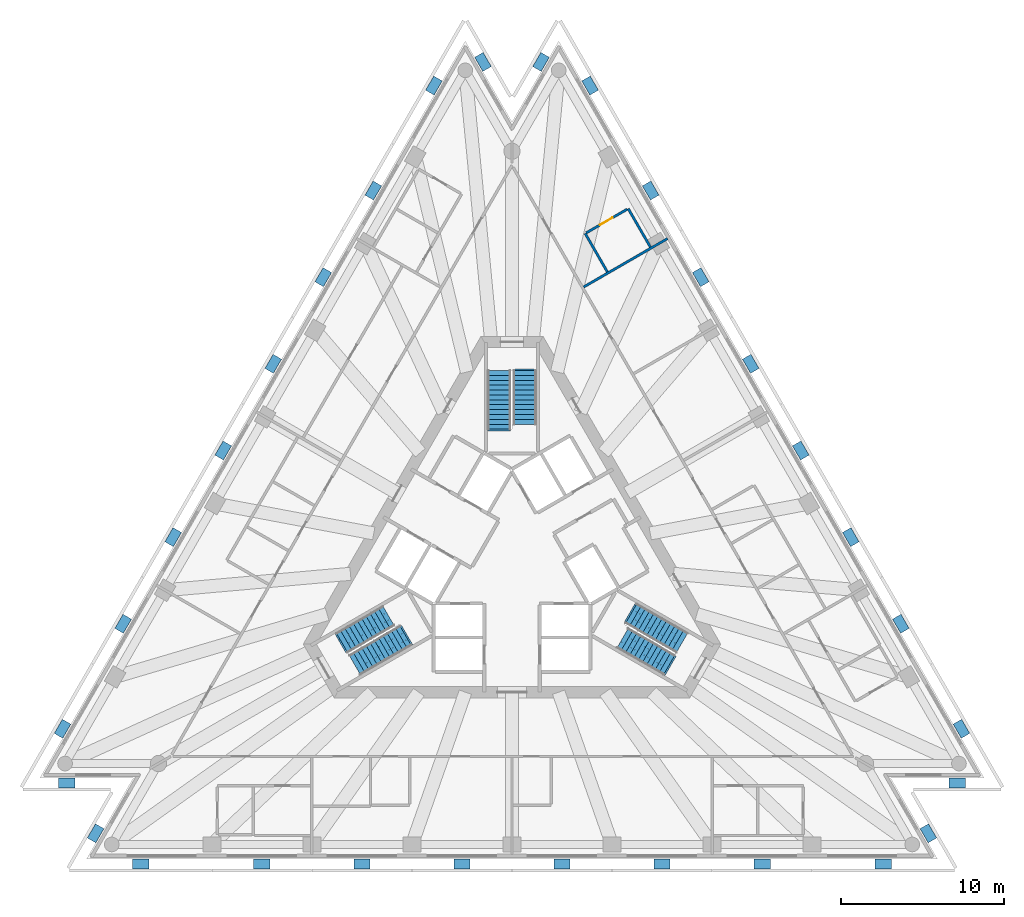
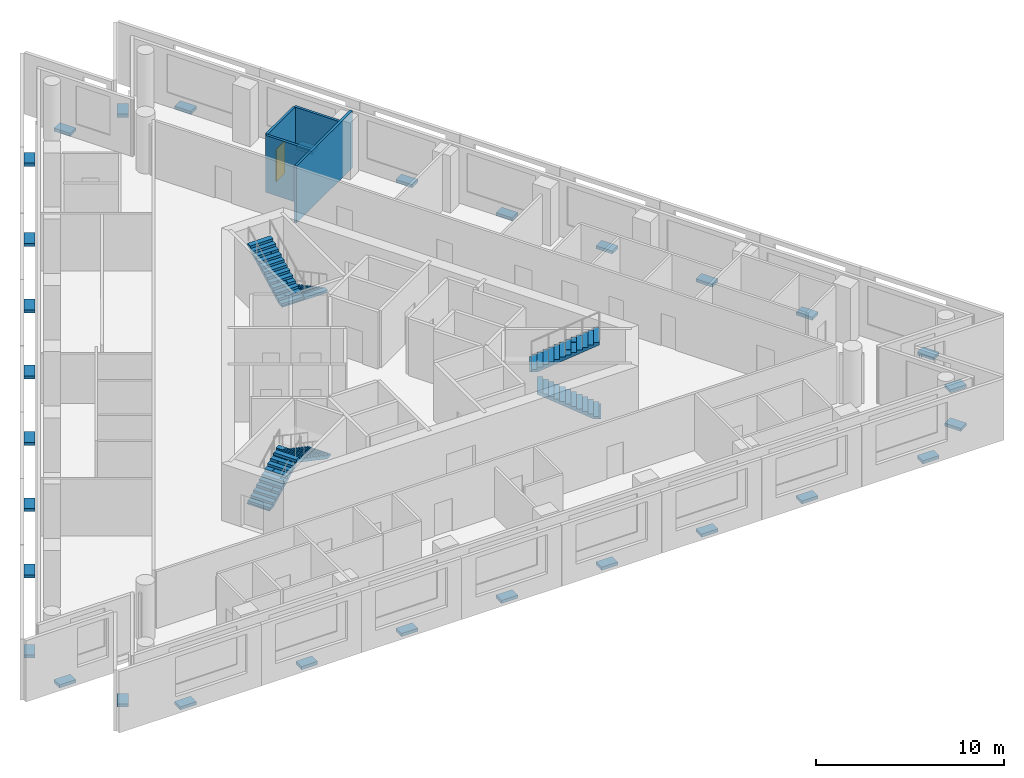
# One storey, part 7 of 9: 30 discrete accessories, 6 stair flights, 4 walls, 1 door, 1 opening, 3 elements without a shape of their own.
"""IFC4 building model written with IfcOpenShell, lengths in metres."""

from ifc_helpers import new_model, si_unit, direction, frame, frame_2d, origin, origin_2d, place, context, subcontext, project, spatial, polyline, rectangle, outline, extrude, material, layer, layer_set, type_object, element, fill, aggregate, save


model = new_model("IFC4")

# Units and contexts
model_context = context("Model", 3, precision=1e-05, world=origin(), true_north=direction((0.0, 1.0)))
body_context = subcontext(model_context, "Body", "Model", "MODEL_VIEW")
ifc_project = project(units=[si_unit("LENGTHUNIT", "METRE"), si_unit("AREAUNIT", "SQUARE_METRE"), si_unit("VOLUMEUNIT", "CUBIC_METRE"), si_unit("PLANEANGLEUNIT", "RADIAN"), si_unit("MASSUNIT", "GRAM", prefix="KILO")], contexts=[model_context])

# Site, building, storey
site_placement = place(None, origin())
site = spatial("IfcSite", under=ifc_project, at=site_placement, CompositionType="ELEMENT")
building_placement = place(site_placement, origin())
building = spatial("IfcBuilding", under=site, at=building_placement, Name="Triada Interchange Tower", CompositionType="ELEMENT")
storey_placement = place(building_placement, frame((0.0, 0.0, 203.300048828125)))
storey = spatial("IfcBuildingStorey", under=building, at=storey_placement, Name="L47", CompositionType="ELEMENT", Elevation=203.300048828125)

# Walls
ifc_material_1 = material(Name="Gypsum board partition")
ifc_layer_1 = layer(ifc_material_1, 0.14990234375)
ifc_layer_set_1 = layer_set([ifc_layer_1], Name="PARTITION 150 EI 180")
wall_type_1 = type_object("IfcWallType", Name="PARTITION 150 EI 180", PredefinedType="PARTITIONING", material=ifc_layer_set_1)
wall_1_placement = place(storey_placement, frame((4.39990234375, 16.72998046875, 0.0), z_axis=(0.0, 0.0, 1.0), x_axis=(0.866064581528, 0.499932136017, 0.0)))
element("IfcWall", 1, at=wall_1_placement, inside=storey, type_object=wall_type_1, Name="Wall L47 23", PredefinedType="PARTITIONING", context=body_context, shape_type="SweptSolid", body=[
    extrude(rectangle(XDim=5.946533203125, YDim=0.14990234375, at=frame_2d((2.97314453125, 0.0))), origin(), (0.0, 0.0, 1.0), 3.699951171875),
])
ifc_layer_2 = layer(ifc_material_1, 0.14990234375)
ifc_layer_set_2 = layer_set([ifc_layer_2], Name="PARTITION 150 EI 90")
wall_type_2 = type_object("IfcWallType", Name="PARTITION 150 EI 90", PredefinedType="PARTITIONING", material=ifc_layer_set_2)
for number, where, z_axis, x_axis, name in (
    (2, (7.135986328125, 21.5419921875, 0.0), (0.0, 0.0, 1.0), (0.499849133735, -0.866112488944, 0.0), "Wall L47 46"),
    (3, (4.493896484375, 20.01708984375, 0.0), (0.0, 0.0, 1.0), (0.499849133735, -0.866112488944, 0.0), "Wall L47 48"),
):
    element("IfcWall", number, at=place(storey_placement, frame(where, z_axis=z_axis, x_axis=x_axis)), inside=storey, type_object=wall_type_2, Name=name, PredefinedType="PARTITIONING", context=body_context, shape_type="SweptSolid", body=[
        extrude(rectangle(XDim=2.724853515625, YDim=0.14990234375, at=frame_2d((1.3623046875, 0.0))), origin(), (0.0, 0.0, 1.0), 3.699951171875),
    ])

# Wall, opening, door
wall_2_placement = place(storey_placement, frame((4.55908203125, 20.053955078125, 0.0), z_axis=(0.0, 0.0, 1.0), x_axis=(0.865929066901, 0.500166823267, 0.0)))
wall_2 = element("IfcWall", 4, at=wall_2_placement, inside=storey, type_object=wall_type_2, Name="Wall L47 52", PredefinedType="PARTITIONING", context=body_context, shape_type="SweptSolid", body=[
    extrude(rectangle(XDim=2.90087890625, YDim=0.14990234375, at=frame_2d((1.450439453125, 0.0))), origin(), (0.0, 0.0, 1.0), 3.699951171875),
])
opening_placement = place(wall_2_placement, frame((0.97509765625, 0.0, 0.0)))
opening = element("IfcOpeningElement", 5, at=opening_placement, cuts=wall_2, Name="Opening D47-32", PredefinedType="OPENING", context=body_context, shape_type="SweptSolid", body=[
    extrude(rectangle(XDim=0.89990234375, YDim=2.10009765625, at=frame_2d((0.449951171875, 1.050048828125))), frame((0.0, 0.0849609375, 0.0), z_axis=(0.0, -1.0, 0.0), x_axis=(1.0, 0.0, 0.0)), (0.0, 0.0, 1.0), 0.169921875),
])
ifc_material_2 = material(Name="Steel S235 door leaf", Category="steel")
door_type = type_object("IfcDoorType", Name="ROOM DOOR 900 EI2 45-C5S200", OperationType="NOTDEFINED", PredefinedType="DOOR", material=ifc_material_2)
door_placement = place(opening_placement, origin())
door = element("IfcDoor", 6, at=door_placement, inside=storey, type_object=door_type, Name="Door D47-32 L47", OperationType="SINGLE_SWING_LEFT", OverallHeight=2.10009765625, OverallWidth=0.89990234375, PredefinedType="DOOR", context=body_context, shape_type="SweptSolid", body=[
    extrude(rectangle(XDim=0.89990234375, YDim=2.10009765625, at=frame_2d((0.449951171875, 1.050048828125))), frame((0.0, 0.02490234375, 0.0), z_axis=(0.0, -1.0, 0.0), x_axis=(1.0, 0.0, 0.0)), (0.0, 0.0, 1.0), 0.050048828125),
])
fill(opening, door)

# Stair, stair flights
ifc_material_3 = material(Name="Concrete C35/45", Category="concrete")
stair_type = type_object("IfcStairType", Name="HALF TURN STAIR 1400", PredefinedType="HALF_TURN_STAIR", material=ifc_material_3)
stair_1_placement = place(storey_placement, origin())
stair_1 = element("IfcStair", 7, at=stair_1_placement, inside=storey, type_object=stair_type, Name="Exit stair S47-1", PredefinedType="HALF_TURN_STAIR")
stair_flight_type = type_object("IfcStairFlightType", Name="STRAIGHT STAIR FLIGHT 1400", PredefinedType="STRAIGHT", material=ifc_material_3)
stair_flight_1_placement = place(storey_placement, frame((0.800048828125, 11.60009765625, 0.0), z_axis=(0.0, 0.0, 1.0), x_axis=(0.0, -1.0, 0.0)))
stair_flight_1 = element("IfcStairFlight", 8, at=stair_flight_1_placement, type_object=stair_flight_type, Name="S47-1 flight 1", NumberOfRisers=12, NumberOfTreads=11, PredefinedType="STRAIGHT", RiserHeight=0.16, TreadLength=0.3, context=body_context, shape_type="SweptSolid", body=[
    extrude(outline(polyline([(-0.10009765625, 0.0), (-0.10009765625, 0.02001953125), (0.0, 0.02001953125), (0.0, 0.159912109375), (0.300048828125, 0.159912109375), (0.300048828125, 0.320068359375), (0.60009765625, 0.320068359375), (0.60009765625, 0.47998046875), (0.89990234375, 0.47998046875), (0.89990234375, 0.639892578125), (1.199951171875, 0.639892578125), (1.199951171875, 0.800048828125), (1.5, 0.800048828125), (1.5, 0.9599609375), (1.800048828125, 0.9599609375), (1.800048828125, 1.1201171875), (2.10009765625, 1.1201171875), (2.10009765625, 1.280029296875), (2.39990234375, 1.280029296875), (2.39990234375, 1.43994140625), (2.699951171875, 1.43994140625), (2.699951171875, 1.60009765625), (3.0, 1.60009765625), (3.0, 1.760009765625), (3.300048828125, 1.760009765625), (3.303955078125, 1.760009765625), (3.303955078125, 1.919921875), (3.303955078125, 1.590087890625), (0.318603515625, 0.0), (-0.10009765625, 0.0)])), frame((0.0, 0.699951171875, 0.0), z_axis=(0.0, -1.0, 0.0), x_axis=(1.0, 0.0, 0.0)), (0.0, 0.0, 1.0), 0.46533203125),
    extrude(outline(polyline([(-0.10009765625, 0.0), (-0.10009765625, 0.02001953125), (0.0, 0.02001953125), (0.0, 0.159912109375), (0.300048828125, 0.159912109375), (0.300048828125, 0.320068359375), (0.60009765625, 0.320068359375), (0.60009765625, 0.47998046875), (0.89990234375, 0.47998046875), (0.89990234375, 0.639892578125), (1.199951171875, 0.639892578125), (1.199951171875, 0.800048828125), (1.5, 0.800048828125), (1.5, 0.9599609375), (1.800048828125, 0.9599609375), (1.800048828125, 1.1201171875), (2.10009765625, 1.1201171875), (2.10009765625, 1.280029296875), (2.39990234375, 1.280029296875), (2.39990234375, 1.43994140625), (2.699951171875, 1.43994140625), (2.699951171875, 1.60009765625), (3.0, 1.60009765625), (3.0, 1.760009765625), (3.300048828125, 1.760009765625), (3.303955078125, 1.760009765625), (3.303955078125, 1.919921875), (3.303955078125, 1.590087890625), (0.318603515625, 0.0), (-0.10009765625, 0.0)])), frame((0.0, 0.232666015625, 0.0), z_axis=(0.0, -1.0, 0.0), x_axis=(1.0, 0.0, 0.0)), (0.0, 0.0, 1.0), 0.46533203125),
    extrude(outline(polyline([(-0.10009765625, 0.0), (-0.10009765625, 0.02001953125), (0.0, 0.02001953125), (0.0, 0.159912109375), (0.300048828125, 0.159912109375), (0.300048828125, 0.320068359375), (0.60009765625, 0.320068359375), (0.60009765625, 0.47998046875), (0.89990234375, 0.47998046875), (0.89990234375, 0.639892578125), (1.199951171875, 0.639892578125), (1.199951171875, 0.800048828125), (1.5, 0.800048828125), (1.5, 0.9599609375), (1.800048828125, 0.9599609375), (1.800048828125, 1.1201171875), (2.10009765625, 1.1201171875), (2.10009765625, 1.280029296875), (2.39990234375, 1.280029296875), (2.39990234375, 1.43994140625), (2.699951171875, 1.43994140625), (2.699951171875, 1.60009765625), (3.0, 1.60009765625), (3.0, 1.760009765625), (3.300048828125, 1.760009765625), (3.303955078125, 1.760009765625), (3.303955078125, 1.919921875), (3.303955078125, 1.590087890625), (0.318603515625, 0.0), (-0.10009765625, 0.0)])), frame((0.0, -0.234619140625, 0.0), z_axis=(0.0, -1.0, 0.0), x_axis=(1.0, 0.0, 0.0)), (0.0, 0.0, 1.0), 0.46533203125),
])
stair_flight_2_placement = place(storey_placement, frame((-0.800048828125, 8.0, 1.919921875), z_axis=(0.0, 0.0, 1.0), x_axis=(0.0, 1.0, 0.0)))
stair_flight_2 = element("IfcStairFlight", 9, at=stair_flight_2_placement, type_object=stair_flight_type, Name="S47-1 flight 2", NumberOfRisers=13, NumberOfTreads=12, PredefinedType="STRAIGHT", RiserHeight=0.16, TreadLength=0.3, context=body_context, shape_type="SweptSolid", body=[
    extrude(outline(polyline([(-0.10009765625, 0.0), (-0.10009765625, 0.02001953125), (0.0, 0.02001953125), (0.0, 0.159912109375), (0.300048828125, 0.159912109375), (0.300048828125, 0.320068359375), (0.60009765625, 0.320068359375), (0.60009765625, 0.47998046875), (0.89990234375, 0.47998046875), (0.89990234375, 0.639892578125), (1.199951171875, 0.639892578125), (1.199951171875, 0.800048828125), (1.5, 0.800048828125), (1.5, 0.9599609375), (1.800048828125, 0.9599609375), (1.800048828125, 1.1201171875), (2.10009765625, 1.1201171875), (2.10009765625, 1.280029296875), (2.39990234375, 1.280029296875), (2.39990234375, 1.43994140625), (2.699951171875, 1.43994140625), (2.699951171875, 1.60009765625), (3.0, 1.60009765625), (3.0, 1.760009765625), (3.300048828125, 1.760009765625), (3.300048828125, 1.919921875), (3.60009765625, 1.919921875), (3.60400390625, 1.919921875), (3.60400390625, 2.080078125), (3.60400390625, 1.75), (0.318603515625, 0.0), (-0.10009765625, 0.0)])), frame((0.0, 0.699951171875, 0.0), z_axis=(0.0, -1.0, 0.0), x_axis=(1.0, 0.0, 0.0)), (0.0, 0.0, 1.0), 0.46533203125),
    extrude(outline(polyline([(-0.10009765625, 0.0), (-0.10009765625, 0.02001953125), (0.0, 0.02001953125), (0.0, 0.159912109375), (0.300048828125, 0.159912109375), (0.300048828125, 0.320068359375), (0.60009765625, 0.320068359375), (0.60009765625, 0.47998046875), (0.89990234375, 0.47998046875), (0.89990234375, 0.639892578125), (1.199951171875, 0.639892578125), (1.199951171875, 0.800048828125), (1.5, 0.800048828125), (1.5, 0.9599609375), (1.800048828125, 0.9599609375), (1.800048828125, 1.1201171875), (2.10009765625, 1.1201171875), (2.10009765625, 1.280029296875), (2.39990234375, 1.280029296875), (2.39990234375, 1.43994140625), (2.699951171875, 1.43994140625), (2.699951171875, 1.60009765625), (3.0, 1.60009765625), (3.0, 1.760009765625), (3.300048828125, 1.760009765625), (3.300048828125, 1.919921875), (3.60009765625, 1.919921875), (3.60400390625, 1.919921875), (3.60400390625, 2.080078125), (3.60400390625, 1.75), (0.318603515625, 0.0), (-0.10009765625, 0.0)])), frame((0.0, 0.232666015625, 0.0), z_axis=(0.0, -1.0, 0.0), x_axis=(1.0, 0.0, 0.0)), (0.0, 0.0, 1.0), 0.46533203125),
    extrude(outline(polyline([(-0.10009765625, 0.0), (-0.10009765625, 0.02001953125), (0.0, 0.02001953125), (0.0, 0.159912109375), (0.300048828125, 0.159912109375), (0.300048828125, 0.320068359375), (0.60009765625, 0.320068359375), (0.60009765625, 0.47998046875), (0.89990234375, 0.47998046875), (0.89990234375, 0.639892578125), (1.199951171875, 0.639892578125), (1.199951171875, 0.800048828125), (1.5, 0.800048828125), (1.5, 0.9599609375), (1.800048828125, 0.9599609375), (1.800048828125, 1.1201171875), (2.10009765625, 1.1201171875), (2.10009765625, 1.280029296875), (2.39990234375, 1.280029296875), (2.39990234375, 1.43994140625), (2.699951171875, 1.43994140625), (2.699951171875, 1.60009765625), (3.0, 1.60009765625), (3.0, 1.760009765625), (3.300048828125, 1.760009765625), (3.300048828125, 1.919921875), (3.60009765625, 1.919921875), (3.60400390625, 1.919921875), (3.60400390625, 2.080078125), (3.60400390625, 1.75), (0.318603515625, 0.0), (-0.10009765625, 0.0)])), frame((0.0, -0.234619140625, 0.0), z_axis=(0.0, -1.0, 0.0), x_axis=(1.0, 0.0, 0.0)), (0.0, 0.0, 1.0), 0.46533203125),
])
aggregate(stair_1, [stair_flight_1, stair_flight_2])

stair_2_placement = place(storey_placement, origin())
stair_2 = element("IfcStair", 10, at=stair_2_placement, inside=storey, type_object=stair_type, Name="Exit stair S47-2", PredefinedType="HALF_TURN_STAIR")
stair_flight_3_placement = place(storey_placement, frame((-10.446044921875, -5.10693359375, 0.0), z_axis=(0.0, 0.0, 1.0), x_axis=(0.866025403784, 0.5, 0.0)))
stair_flight_3 = element("IfcStairFlight", 11, at=stair_flight_3_placement, type_object=stair_flight_type, Name="S47-2 flight 1", NumberOfRisers=12, NumberOfTreads=11, PredefinedType="STRAIGHT", RiserHeight=0.16, TreadLength=0.3, context=body_context, shape_type="SweptSolid", body=[
    extrude(outline(polyline([(-0.10009765625, 0.0), (-0.10009765625, 0.02001953125), (0.0, 0.02001953125), (0.0, 0.159912109375), (0.300048828125, 0.159912109375), (0.300048828125, 0.320068359375), (0.60009765625, 0.320068359375), (0.60009765625, 0.47998046875), (0.89990234375, 0.47998046875), (0.89990234375, 0.639892578125), (1.199951171875, 0.639892578125), (1.199951171875, 0.800048828125), (1.5, 0.800048828125), (1.5, 0.9599609375), (1.800048828125, 0.9599609375), (1.800048828125, 1.1201171875), (2.10009765625, 1.1201171875), (2.10009765625, 1.280029296875), (2.39990234375, 1.280029296875), (2.39990234375, 1.43994140625), (2.699951171875, 1.43994140625), (2.699951171875, 1.60009765625), (3.0, 1.60009765625), (3.0, 1.760009765625), (3.300048828125, 1.760009765625), (3.303955078125, 1.760009765625), (3.303955078125, 1.919921875), (3.303955078125, 1.590087890625), (0.318603515625, 0.0), (-0.10009765625, 0.0)])), frame((0.0, 0.699951171875, 0.0), z_axis=(0.0, -1.0, 0.0), x_axis=(1.0, 0.0, 0.0)), (0.0, 0.0, 1.0), 0.46533203125),
    extrude(outline(polyline([(-0.10009765625, 0.0), (-0.10009765625, 0.02001953125), (0.0, 0.02001953125), (0.0, 0.159912109375), (0.300048828125, 0.159912109375), (0.300048828125, 0.320068359375), (0.60009765625, 0.320068359375), (0.60009765625, 0.47998046875), (0.89990234375, 0.47998046875), (0.89990234375, 0.639892578125), (1.199951171875, 0.639892578125), (1.199951171875, 0.800048828125), (1.5, 0.800048828125), (1.5, 0.9599609375), (1.800048828125, 0.9599609375), (1.800048828125, 1.1201171875), (2.10009765625, 1.1201171875), (2.10009765625, 1.280029296875), (2.39990234375, 1.280029296875), (2.39990234375, 1.43994140625), (2.699951171875, 1.43994140625), (2.699951171875, 1.60009765625), (3.0, 1.60009765625), (3.0, 1.760009765625), (3.300048828125, 1.760009765625), (3.303955078125, 1.760009765625), (3.303955078125, 1.919921875), (3.303955078125, 1.590087890625), (0.318603515625, 0.0), (-0.10009765625, 0.0)])), frame((0.0, 0.232666015625, 0.0), z_axis=(0.0, -1.0, 0.0), x_axis=(1.0, 0.0, 0.0)), (0.0, 0.0, 1.0), 0.46533203125),
    extrude(outline(polyline([(-0.10009765625, 0.0), (-0.10009765625, 0.02001953125), (0.0, 0.02001953125), (0.0, 0.159912109375), (0.300048828125, 0.159912109375), (0.300048828125, 0.320068359375), (0.60009765625, 0.320068359375), (0.60009765625, 0.47998046875), (0.89990234375, 0.47998046875), (0.89990234375, 0.639892578125), (1.199951171875, 0.639892578125), (1.199951171875, 0.800048828125), (1.5, 0.800048828125), (1.5, 0.9599609375), (1.800048828125, 0.9599609375), (1.800048828125, 1.1201171875), (2.10009765625, 1.1201171875), (2.10009765625, 1.280029296875), (2.39990234375, 1.280029296875), (2.39990234375, 1.43994140625), (2.699951171875, 1.43994140625), (2.699951171875, 1.60009765625), (3.0, 1.60009765625), (3.0, 1.760009765625), (3.300048828125, 1.760009765625), (3.303955078125, 1.760009765625), (3.303955078125, 1.919921875), (3.303955078125, 1.590087890625), (0.318603515625, 0.0), (-0.10009765625, 0.0)])), frame((0.0, -0.234619140625, 0.0), z_axis=(0.0, -1.0, 0.0), x_axis=(1.0, 0.0, 0.0)), (0.0, 0.0, 1.0), 0.46533203125),
])
stair_flight_4_placement = place(storey_placement, frame((-6.528076171875, -4.693115234375, 1.919921875), z_axis=(0.0, 0.0, 1.0), x_axis=(-0.866025403784, -0.5, 0.0)))
stair_flight_4 = element("IfcStairFlight", 12, at=stair_flight_4_placement, type_object=stair_flight_type, Name="S47-2 flight 2", NumberOfRisers=13, NumberOfTreads=12, PredefinedType="STRAIGHT", RiserHeight=0.16, TreadLength=0.3, context=body_context, shape_type="SweptSolid", body=[
    extrude(outline(polyline([(-0.10009765625, 0.0), (-0.10009765625, 0.02001953125), (0.0, 0.02001953125), (0.0, 0.159912109375), (0.300048828125, 0.159912109375), (0.300048828125, 0.320068359375), (0.60009765625, 0.320068359375), (0.60009765625, 0.47998046875), (0.89990234375, 0.47998046875), (0.89990234375, 0.639892578125), (1.199951171875, 0.639892578125), (1.199951171875, 0.800048828125), (1.5, 0.800048828125), (1.5, 0.9599609375), (1.800048828125, 0.9599609375), (1.800048828125, 1.1201171875), (2.10009765625, 1.1201171875), (2.10009765625, 1.280029296875), (2.39990234375, 1.280029296875), (2.39990234375, 1.43994140625), (2.699951171875, 1.43994140625), (2.699951171875, 1.60009765625), (3.0, 1.60009765625), (3.0, 1.760009765625), (3.300048828125, 1.760009765625), (3.300048828125, 1.919921875), (3.60009765625, 1.919921875), (3.60400390625, 1.919921875), (3.60400390625, 2.080078125), (3.60400390625, 1.75), (0.318603515625, 0.0), (-0.10009765625, 0.0)])), frame((0.0, 0.699951171875, 0.0), z_axis=(0.0, -1.0, 0.0), x_axis=(1.0, 0.0, 0.0)), (0.0, 0.0, 1.0), 0.46533203125),
    extrude(outline(polyline([(-0.10009765625, 0.0), (-0.10009765625, 0.02001953125), (0.0, 0.02001953125), (0.0, 0.159912109375), (0.300048828125, 0.159912109375), (0.300048828125, 0.320068359375), (0.60009765625, 0.320068359375), (0.60009765625, 0.47998046875), (0.89990234375, 0.47998046875), (0.89990234375, 0.639892578125), (1.199951171875, 0.639892578125), (1.199951171875, 0.800048828125), (1.5, 0.800048828125), (1.5, 0.9599609375), (1.800048828125, 0.9599609375), (1.800048828125, 1.1201171875), (2.10009765625, 1.1201171875), (2.10009765625, 1.280029296875), (2.39990234375, 1.280029296875), (2.39990234375, 1.43994140625), (2.699951171875, 1.43994140625), (2.699951171875, 1.60009765625), (3.0, 1.60009765625), (3.0, 1.760009765625), (3.300048828125, 1.760009765625), (3.300048828125, 1.919921875), (3.60009765625, 1.919921875), (3.60400390625, 1.919921875), (3.60400390625, 2.080078125), (3.60400390625, 1.75), (0.318603515625, 0.0), (-0.10009765625, 0.0)])), frame((0.0, 0.232666015625, 0.0), z_axis=(0.0, -1.0, 0.0), x_axis=(1.0, 0.0, 0.0)), (0.0, 0.0, 1.0), 0.46533203125),
    extrude(outline(polyline([(-0.10009765625, 0.0), (-0.10009765625, 0.02001953125), (0.0, 0.02001953125), (0.0, 0.159912109375), (0.300048828125, 0.159912109375), (0.300048828125, 0.320068359375), (0.60009765625, 0.320068359375), (0.60009765625, 0.47998046875), (0.89990234375, 0.47998046875), (0.89990234375, 0.639892578125), (1.199951171875, 0.639892578125), (1.199951171875, 0.800048828125), (1.5, 0.800048828125), (1.5, 0.9599609375), (1.800048828125, 0.9599609375), (1.800048828125, 1.1201171875), (2.10009765625, 1.1201171875), (2.10009765625, 1.280029296875), (2.39990234375, 1.280029296875), (2.39990234375, 1.43994140625), (2.699951171875, 1.43994140625), (2.699951171875, 1.60009765625), (3.0, 1.60009765625), (3.0, 1.760009765625), (3.300048828125, 1.760009765625), (3.300048828125, 1.919921875), (3.60009765625, 1.919921875), (3.60400390625, 1.919921875), (3.60400390625, 2.080078125), (3.60400390625, 1.75), (0.318603515625, 0.0), (-0.10009765625, 0.0)])), frame((0.0, -0.234619140625, 0.0), z_axis=(0.0, -1.0, 0.0), x_axis=(1.0, 0.0, 0.0)), (0.0, 0.0, 1.0), 0.46533203125),
])
aggregate(stair_2, [stair_flight_3, stair_flight_4])

stair_3_placement = place(storey_placement, origin())
stair_3 = element("IfcStair", 13, at=stair_3_placement, inside=storey, type_object=stair_type, Name="Exit stair S47-3", PredefinedType="HALF_TURN_STAIR")
stair_flight_5_placement = place(storey_placement, frame((9.64599609375, -6.492919921875, 0.0), z_axis=(0.0, 0.0, 1.0), x_axis=(-0.866025403784, 0.5, 0.0)))
stair_flight_5 = element("IfcStairFlight", 14, at=stair_flight_5_placement, type_object=stair_flight_type, Name="S47-3 flight 1", NumberOfRisers=12, NumberOfTreads=11, PredefinedType="STRAIGHT", RiserHeight=0.16, TreadLength=0.3, context=body_context, shape_type="SweptSolid", body=[
    extrude(outline(polyline([(-0.10009765625, 0.0), (-0.10009765625, 0.02001953125), (0.0, 0.02001953125), (0.0, 0.159912109375), (0.300048828125, 0.159912109375), (0.300048828125, 0.320068359375), (0.60009765625, 0.320068359375), (0.60009765625, 0.47998046875), (0.89990234375, 0.47998046875), (0.89990234375, 0.639892578125), (1.199951171875, 0.639892578125), (1.199951171875, 0.800048828125), (1.5, 0.800048828125), (1.5, 0.9599609375), (1.800048828125, 0.9599609375), (1.800048828125, 1.1201171875), (2.10009765625, 1.1201171875), (2.10009765625, 1.280029296875), (2.39990234375, 1.280029296875), (2.39990234375, 1.43994140625), (2.699951171875, 1.43994140625), (2.699951171875, 1.60009765625), (3.0, 1.60009765625), (3.0, 1.760009765625), (3.300048828125, 1.760009765625), (3.303955078125, 1.760009765625), (3.303955078125, 1.919921875), (3.303955078125, 1.590087890625), (0.318603515625, 0.0), (-0.10009765625, 0.0)])), frame((0.0, 0.699951171875, 0.0), z_axis=(0.0, -1.0, 0.0), x_axis=(1.0, 0.0, 0.0)), (0.0, 0.0, 1.0), 0.46533203125),
    extrude(outline(polyline([(-0.10009765625, 0.0), (-0.10009765625, 0.02001953125), (0.0, 0.02001953125), (0.0, 0.159912109375), (0.300048828125, 0.159912109375), (0.300048828125, 0.320068359375), (0.60009765625, 0.320068359375), (0.60009765625, 0.47998046875), (0.89990234375, 0.47998046875), (0.89990234375, 0.639892578125), (1.199951171875, 0.639892578125), (1.199951171875, 0.800048828125), (1.5, 0.800048828125), (1.5, 0.9599609375), (1.800048828125, 0.9599609375), (1.800048828125, 1.1201171875), (2.10009765625, 1.1201171875), (2.10009765625, 1.280029296875), (2.39990234375, 1.280029296875), (2.39990234375, 1.43994140625), (2.699951171875, 1.43994140625), (2.699951171875, 1.60009765625), (3.0, 1.60009765625), (3.0, 1.760009765625), (3.300048828125, 1.760009765625), (3.303955078125, 1.760009765625), (3.303955078125, 1.919921875), (3.303955078125, 1.590087890625), (0.318603515625, 0.0), (-0.10009765625, 0.0)])), frame((0.0, 0.232666015625, 0.0), z_axis=(0.0, -1.0, 0.0), x_axis=(1.0, 0.0, 0.0)), (0.0, 0.0, 1.0), 0.46533203125),
    extrude(outline(polyline([(-0.10009765625, 0.0), (-0.10009765625, 0.02001953125), (0.0, 0.02001953125), (0.0, 0.159912109375), (0.300048828125, 0.159912109375), (0.300048828125, 0.320068359375), (0.60009765625, 0.320068359375), (0.60009765625, 0.47998046875), (0.89990234375, 0.47998046875), (0.89990234375, 0.639892578125), (1.199951171875, 0.639892578125), (1.199951171875, 0.800048828125), (1.5, 0.800048828125), (1.5, 0.9599609375), (1.800048828125, 0.9599609375), (1.800048828125, 1.1201171875), (2.10009765625, 1.1201171875), (2.10009765625, 1.280029296875), (2.39990234375, 1.280029296875), (2.39990234375, 1.43994140625), (2.699951171875, 1.43994140625), (2.699951171875, 1.60009765625), (3.0, 1.60009765625), (3.0, 1.760009765625), (3.300048828125, 1.760009765625), (3.303955078125, 1.760009765625), (3.303955078125, 1.919921875), (3.303955078125, 1.590087890625), (0.318603515625, 0.0), (-0.10009765625, 0.0)])), frame((0.0, -0.234619140625, 0.0), z_axis=(0.0, -1.0, 0.0), x_axis=(1.0, 0.0, 0.0)), (0.0, 0.0, 1.0), 0.46533203125),
])
stair_flight_6_placement = place(storey_placement, frame((7.327880859375, -3.306884765625, 1.919921875), z_axis=(0.0, 0.0, 1.0), x_axis=(0.866025403784, -0.5, 0.0)))
stair_flight_6 = element("IfcStairFlight", 15, at=stair_flight_6_placement, type_object=stair_flight_type, Name="S47-3 flight 2", NumberOfRisers=13, NumberOfTreads=12, PredefinedType="STRAIGHT", RiserHeight=0.16, TreadLength=0.3, context=body_context, shape_type="SweptSolid", body=[
    extrude(outline(polyline([(-0.10009765625, 0.0), (-0.10009765625, 0.02001953125), (0.0, 0.02001953125), (0.0, 0.159912109375), (0.300048828125, 0.159912109375), (0.300048828125, 0.320068359375), (0.60009765625, 0.320068359375), (0.60009765625, 0.47998046875), (0.89990234375, 0.47998046875), (0.89990234375, 0.639892578125), (1.199951171875, 0.639892578125), (1.199951171875, 0.800048828125), (1.5, 0.800048828125), (1.5, 0.9599609375), (1.800048828125, 0.9599609375), (1.800048828125, 1.1201171875), (2.10009765625, 1.1201171875), (2.10009765625, 1.280029296875), (2.39990234375, 1.280029296875), (2.39990234375, 1.43994140625), (2.699951171875, 1.43994140625), (2.699951171875, 1.60009765625), (3.0, 1.60009765625), (3.0, 1.760009765625), (3.300048828125, 1.760009765625), (3.300048828125, 1.919921875), (3.60009765625, 1.919921875), (3.60400390625, 1.919921875), (3.60400390625, 2.080078125), (3.60400390625, 1.75), (0.318603515625, 0.0), (-0.10009765625, 0.0)])), frame((0.0, 0.699951171875, 0.0), z_axis=(0.0, -1.0, 0.0), x_axis=(1.0, 0.0, 0.0)), (0.0, 0.0, 1.0), 0.46533203125),
    extrude(outline(polyline([(-0.10009765625, 0.0), (-0.10009765625, 0.02001953125), (0.0, 0.02001953125), (0.0, 0.159912109375), (0.300048828125, 0.159912109375), (0.300048828125, 0.320068359375), (0.60009765625, 0.320068359375), (0.60009765625, 0.47998046875), (0.89990234375, 0.47998046875), (0.89990234375, 0.639892578125), (1.199951171875, 0.639892578125), (1.199951171875, 0.800048828125), (1.5, 0.800048828125), (1.5, 0.9599609375), (1.800048828125, 0.9599609375), (1.800048828125, 1.1201171875), (2.10009765625, 1.1201171875), (2.10009765625, 1.280029296875), (2.39990234375, 1.280029296875), (2.39990234375, 1.43994140625), (2.699951171875, 1.43994140625), (2.699951171875, 1.60009765625), (3.0, 1.60009765625), (3.0, 1.760009765625), (3.300048828125, 1.760009765625), (3.300048828125, 1.919921875), (3.60009765625, 1.919921875), (3.60400390625, 1.919921875), (3.60400390625, 2.080078125), (3.60400390625, 1.75), (0.318603515625, 0.0), (-0.10009765625, 0.0)])), frame((0.0, 0.232666015625, 0.0), z_axis=(0.0, -1.0, 0.0), x_axis=(1.0, 0.0, 0.0)), (0.0, 0.0, 1.0), 0.46533203125),
    extrude(outline(polyline([(-0.10009765625, 0.0), (-0.10009765625, 0.02001953125), (0.0, 0.02001953125), (0.0, 0.159912109375), (0.300048828125, 0.159912109375), (0.300048828125, 0.320068359375), (0.60009765625, 0.320068359375), (0.60009765625, 0.47998046875), (0.89990234375, 0.47998046875), (0.89990234375, 0.639892578125), (1.199951171875, 0.639892578125), (1.199951171875, 0.800048828125), (1.5, 0.800048828125), (1.5, 0.9599609375), (1.800048828125, 0.9599609375), (1.800048828125, 1.1201171875), (2.10009765625, 1.1201171875), (2.10009765625, 1.280029296875), (2.39990234375, 1.280029296875), (2.39990234375, 1.43994140625), (2.699951171875, 1.43994140625), (2.699951171875, 1.60009765625), (3.0, 1.60009765625), (3.0, 1.760009765625), (3.300048828125, 1.760009765625), (3.300048828125, 1.919921875), (3.60009765625, 1.919921875), (3.60400390625, 1.919921875), (3.60400390625, 2.080078125), (3.60400390625, 1.75), (0.318603515625, 0.0), (-0.10009765625, 0.0)])), frame((0.0, -0.234619140625, 0.0), z_axis=(0.0, -1.0, 0.0), x_axis=(1.0, 0.0, 0.0)), (0.0, 0.0, 1.0), 0.46533203125),
])
aggregate(stair_3, [stair_flight_5, stair_flight_6])

# Discrete accessories
ifc_material_4 = material(Name="Steel S355", Category="steel")
discrete_accessory_type = type_object("IfcDiscreteAccessoryType", Name="Steel bracket outer skin", PredefinedType="BRACKET", material=ifc_material_4)
for number, where, z_axis, x_axis, name in (
    (16, (-4.794921875, 29.10009765625, -0.27001953125), (0.0, 0.0, 1.0), (-0.86602119751, 0.50000728541, 0.0), "Bracket L47 01"),
    (17, (-8.51611328125, 22.654052734375, -0.27001953125), (0.0, 0.0, 1.0), (-0.86602119751, 0.50000728541, 0.0), "Bracket L47 02"),
    (18, (-11.589111328125, 17.3330078125, -0.27001953125), (0.0, 0.0, 1.0), (-0.86602119751, 0.50000728541, 0.0), "Bracket L47 03"),
    (19, (-14.660888671875, 12.011962890625, -0.27001953125), (0.0, 0.0, 1.0), (-0.86602119751, 0.50000728541, 0.0), "Bracket L47 04"),
    (20, (-17.73291015625, 6.69091796875, -0.27001953125), (0.0, 0.0, 1.0), (-0.86602119751, 0.50000728541, 0.0), "Bracket L47 05"),
    (21, (-20.804931640625, 1.3701171875, -0.27001953125), (0.0, 0.0, 1.0), (-0.86602119751, 0.50000728541, 0.0), "Bracket L47 06"),
    (22, (-23.876953125, -3.950927734375, -0.27001953125), (0.0, 0.0, 1.0), (-0.86602119751, 0.50000728541, 0.0), "Bracket L47 07"),
    (23, (-27.59912109375, -10.39697265625, -0.27001953125), (0.0, 0.0, 1.0), (-0.86602119751, 0.50000728541, 0.0), "Bracket L47 08"),
    (24, (-27.347900390625, -13.73291015625, -0.27001953125), (0.0, 0.0, 1.0), (0.0, -1.0, 0.0), "Bracket L47 09"),
    (25, (-25.568115234375, -16.818115234375, -0.27001953125), (0.0, 0.0, 1.0), (-0.866014346912, 0.500019150576, 0.0), "Bracket L47 10"),
    (26, (-22.803955078125, -18.701904296875, -0.27001953125), (0.0, 0.0, 1.0), (0.0, -1.0, 0.0), "Bracket L47 11"),
    (27, (-15.361083984375, -18.701904296875, -0.27001953125), (0.0, 0.0, 1.0), (0.0, -1.0, 0.0), "Bracket L47 12"),
    (28, (-9.216064453125, -18.701904296875, -0.27001953125), (0.0, 0.0, 1.0), (0.0, -1.0, 0.0), "Bracket L47 13"),
    (29, (-3.072021484375, -18.701904296875, -0.27001953125), (0.0, 0.0, 1.0), (0.0, -1.0, 0.0), "Bracket L47 14"),
    (30, (3.072021484375, -18.701904296875, -0.27001953125), (0.0, 0.0, 1.0), (0.0, -1.0, 0.0), "Bracket L47 15"),
    (31, (9.216064453125, -18.701904296875, -0.27001953125), (0.0, 0.0, 1.0), (0.0, -1.0, 0.0), "Bracket L47 16"),
    (32, (15.361083984375, -18.701904296875, -0.27001953125), (0.0, 0.0, 1.0), (0.0, -1.0, 0.0), "Bracket L47 17"),
    (33, (22.803955078125, -18.701904296875, -0.27001953125), (0.0, 0.0, 1.0), (0.0, -1.0, 0.0), "Bracket L47 18"),
    (34, (25.568115234375, -16.818115234375, -0.27001953125), (0.0, 0.0, 1.0), (0.866014346912, 0.500019150576, 0.0), "Bracket L47 19"),
    (35, (27.347900390625, -13.73291015625, -0.27001953125), (0.0, 0.0, 1.0), (0.0, -1.0, 0.0), "Bracket L47 20"),
    (36, (27.59912109375, -10.39697265625, -0.27001953125), (0.0, 0.0, 1.0), (0.86602119751, 0.50000728541, 0.0), "Bracket L47 21"),
    (37, (23.876953125, -3.950927734375, -0.27001953125), (0.0, 0.0, 1.0), (0.86602119751, 0.50000728541, 0.0), "Bracket L47 22"),
    (38, (20.804931640625, 1.3701171875, -0.27001953125), (0.0, 0.0, 1.0), (0.86602119751, 0.50000728541, 0.0), "Bracket L47 23"),
    (39, (17.73291015625, 6.69091796875, -0.27001953125), (0.0, 0.0, 1.0), (0.86602119751, 0.50000728541, 0.0), "Bracket L47 24"),
    (40, (14.660888671875, 12.011962890625, -0.27001953125), (0.0, 0.0, 1.0), (0.86602119751, 0.50000728541, 0.0), "Bracket L47 25"),
    (41, (11.589111328125, 17.3330078125, -0.27001953125), (0.0, 0.0, 1.0), (0.86602119751, 0.50000728541, 0.0), "Bracket L47 26"),
    (42, (8.51611328125, 22.654052734375, -0.27001953125), (0.0, 0.0, 1.0), (0.86602119751, 0.50000728541, 0.0), "Bracket L47 27"),
    (43, (4.794921875, 29.10009765625, -0.27001953125), (0.0, 0.0, 1.0), (0.86602119751, 0.50000728541, 0.0), "Bracket L47 28"),
    (44, (1.781005859375, 30.551025390625, -0.27001953125), (0.0, 0.0, 1.0), (-0.865970761082, 0.500094631996, 0.0), "Bracket L47 29"),
    (45, (-1.781005859375, 30.551025390625, -0.27001953125), (0.0, 0.0, 1.0), (0.865970761082, 0.500094631996, 0.0), "Bracket L47 30"),
):
    element("IfcDiscreteAccessory", number, at=place(storey_placement, frame(where, z_axis=z_axis, x_axis=x_axis)), inside=storey, type_object=discrete_accessory_type, Name=name, PredefinedType="BRACKET", context=body_context, shape_type="SweptSolid", body=[
        extrude(rectangle(XDim=0.60009765625, YDim=1.0, at=origin_2d()), origin(), (0.0, 0.0, 1.0), 0.199951171875),
    ])

save(model, "model.ifc")
